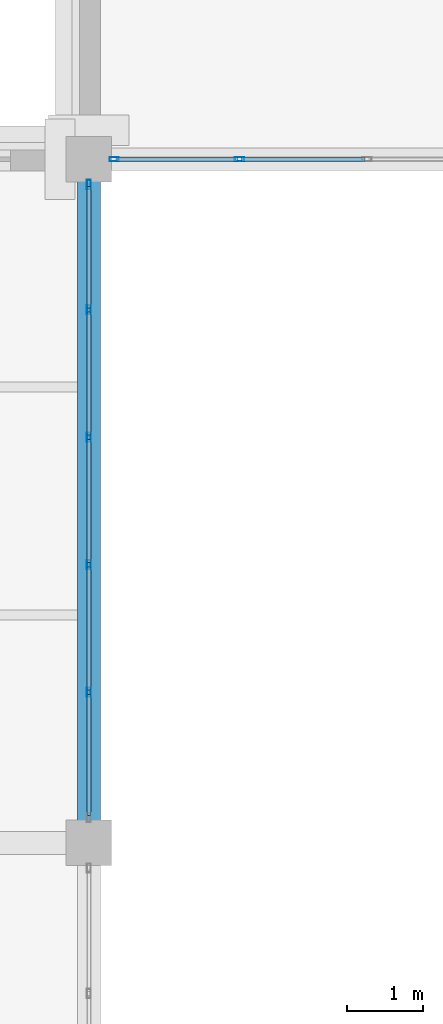
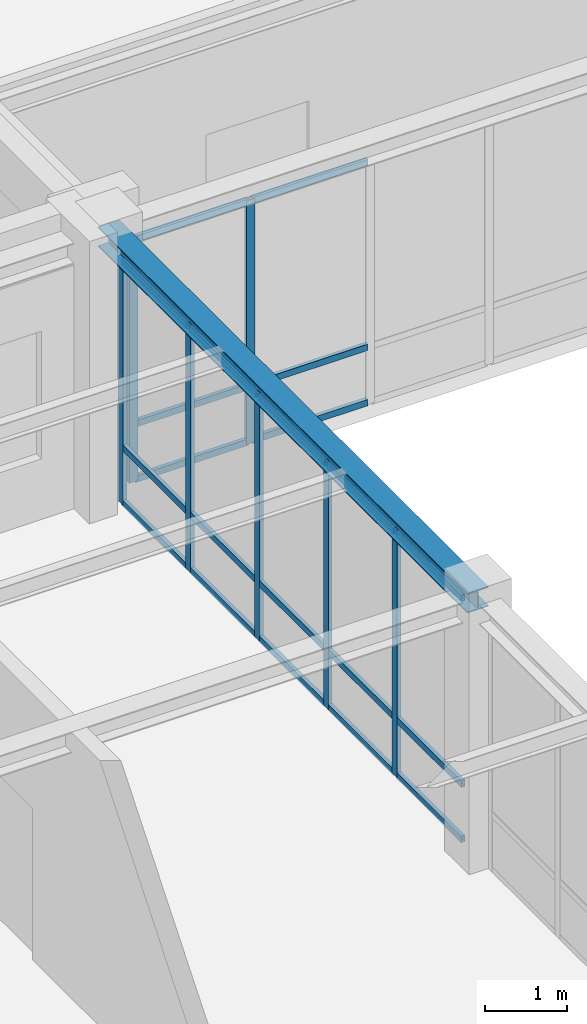
# One storey, part 89 of 130: 28 members, 1 beam, 2 elements without a shape of their own.
"""IFC4 building model written with IfcOpenShell, lengths in metres."""

from ifc_helpers import new_model, si_unit, direction, frame, origin, origin_2d, place, context, subcontext, project, spatial, hollow_rectangle, i_section, extrude, material, material_profile, profile_set, type_object, element, aggregate, save


model = new_model("IFC4")

# Units and contexts
model_context = context("Model", 3, precision=1e-05, world=origin(), true_north=direction((0.0, 1.0)))
body_context = subcontext(model_context, "Body", "Model", "MODEL_VIEW")
ifc_project = project(units=[si_unit("LENGTHUNIT", "METRE"), si_unit("AREAUNIT", "SQUARE_METRE"), si_unit("VOLUMEUNIT", "CUBIC_METRE"), si_unit("PLANEANGLEUNIT", "RADIAN"), si_unit("MASSUNIT", "GRAM", prefix="KILO")], contexts=[model_context])

# Site, building, storey
site_placement = place(None, origin())
site = spatial("IfcSite", under=ifc_project, at=site_placement, CompositionType="ELEMENT")
building_placement = place(site_placement, origin())
building = spatial("IfcBuilding", under=site, at=building_placement, Name="Lykobir Media Centre", CompositionType="ELEMENT")
storey_placement = place(building_placement, frame((0.0, 0.0, 19.199951171875)))
storey = spatial("IfcBuildingStorey", under=building, at=storey_placement, Name="L04", CompositionType="ELEMENT", Elevation=19.199951171875)

# Beam
ifc_material_1 = material(Name="Steel S355", Category="steel")
ifc_material_profile_1 = material_profile(ifc_material_1, i_section(OverallWidth=0.300048828125, OverallDepth=0.2900390625, WebThickness=0.008544921875, FlangeThickness=0.013916015625, at=origin_2d()), Name="HEA 300")
ifc_profile_set_1 = profile_set([ifc_material_profile_1], Name="Steel S355")
beam_type = type_object("IfcBeamType", Name="BM-HEA300", PredefinedType="BEAM", material=ifc_profile_set_1)
beam_placement = place(storey_placement, frame((99.0, 63.0, 3.802978515625), z_axis=(0.0, 1.0, 0.0), x_axis=(-1.0, 0.0, 0.0)))
element("IfcBeam", 1, at=beam_placement, inside=storey, type_object=beam_type, Name="Beam BM-L04-0990-0630-0990-0720-2302", PredefinedType="BEAM", context=body_context, shape_type="SweptSolid", body=[
    extrude(i_section(OverallWidth=0.300048828125, OverallDepth=0.2900390625, WebThickness=0.008544921875, FlangeThickness=0.013916015625, at=origin_2d()), origin(), (0.0, 0.0, 1.0), 9.0),
])

# Curtain wall, members
ifc_material_2 = material(Name="Anodized Aluminium AW-6060", Category="aluminium")
curtain_wall_type = type_object("IfcCurtainWallType", Name="CW-COURT-B", PredefinedType="NOTDEFINED", material=ifc_material_2)
curtain_wall_1_placement = place(storey_placement, origin())
curtain_wall_1 = element("IfcCurtainWall", 2, at=curtain_wall_1_placement, inside=storey, type_object=curtain_wall_type, Name="Curtain wall CW2-L04-0177", PredefinedType="NOTDEFINED")
ifc_material_profile_2 = material_profile(ifc_material_2, hollow_rectangle(XDim=0.054931640625, YDim=0.1201171875, WallThickness=0.003173828125, at=origin_2d()), Name="ALU MULLION 55x120")
ifc_profile_set_2 = profile_set([ifc_material_profile_2], Name="Anodized Aluminium AW-6060")
member_type_1 = type_object("IfcMemberType", Name="CWM-120", PredefinedType="MULLION", material=ifc_profile_set_2)
member_1_placement = place(storey_placement, frame((99.0, 71.66748046875, 0.0), z_axis=(0.0, 0.0, 1.0), x_axis=(1.0, 0.0, 0.0)))
member_1 = element("IfcMember", 3, at=member_1_placement, type_object=member_type_1, Name="CW2-L04-0177 mullion 1", PredefinedType="MULLION", context=body_context, shape_type="SweptSolid", body=[
    extrude(hollow_rectangle(XDim=0.054931640625, YDim=0.1201171875, WallThickness=0.003173828125, at=origin_2d()), origin(), (0.0, 0.0, 1.0), 3.64306640625),
])
member_2_placement = place(storey_placement, frame((99.0, 70.01708984375, 0.0), z_axis=(0.0, 0.0, 1.0), x_axis=(1.0, 0.0, 0.0)))
member_2 = element("IfcMember", 4, at=member_2_placement, type_object=member_type_1, Name="CW2-L04-0177 mullion 2", PredefinedType="MULLION", context=body_context, shape_type="SweptSolid", body=[
    extrude(hollow_rectangle(XDim=0.054931640625, YDim=0.1201171875, WallThickness=0.003173828125, at=origin_2d()), origin(), (0.0, 0.0, 1.0), 3.64306640625),
])
member_3_placement = place(storey_placement, frame((99.0, 68.339111328125, 0.0), z_axis=(0.0, 0.0, 1.0), x_axis=(1.0, 0.0, 0.0)))
member_3 = element("IfcMember", 5, at=member_3_placement, type_object=member_type_1, Name="CW2-L04-0177 mullion 3", PredefinedType="MULLION", context=body_context, shape_type="SweptSolid", body=[
    extrude(hollow_rectangle(XDim=0.054931640625, YDim=0.1201171875, WallThickness=0.003173828125, at=origin_2d()), origin(), (0.0, 0.0, 1.0), 3.64306640625),
])
member_4_placement = place(storey_placement, frame((99.0, 66.660888671875, 0.0), z_axis=(0.0, 0.0, 1.0), x_axis=(1.0, 0.0, 0.0)))
member_4 = element("IfcMember", 6, at=member_4_placement, type_object=member_type_1, Name="CW2-L04-0177 mullion 4", PredefinedType="MULLION", context=body_context, shape_type="SweptSolid", body=[
    extrude(hollow_rectangle(XDim=0.054931640625, YDim=0.1201171875, WallThickness=0.003173828125, at=origin_2d()), origin(), (0.0, 0.0, 1.0), 3.64306640625),
])
member_5_placement = place(storey_placement, frame((99.0, 64.98291015625, 0.0), z_axis=(0.0, 0.0, 1.0), x_axis=(1.0, 0.0, 0.0)))
member_5 = element("IfcMember", 7, at=member_5_placement, type_object=member_type_1, Name="CW2-L04-0177 mullion 5", PredefinedType="MULLION", context=body_context, shape_type="SweptSolid", body=[
    extrude(hollow_rectangle(XDim=0.054931640625, YDim=0.1201171875, WallThickness=0.003173828125, at=origin_2d()), origin(), (0.0, 0.0, 1.0), 3.64306640625),
])

curtain_wall_2_placement = place(storey_placement, origin())
curtain_wall_2 = element("IfcCurtainWall", 8, at=curtain_wall_2_placement, inside=storey, type_object=curtain_wall_type, Name="Curtain wall CW2-L04-0178", PredefinedType="NOTDEFINED")
member_6_placement = place(storey_placement, frame((100.98291015625, 72.0, 0.0), z_axis=(0.0, 0.0, 1.0), x_axis=(0.0, -1.0, 0.0)))
member_6 = element("IfcMember", 9, at=member_6_placement, type_object=member_type_1, Name="CW2-L04-0178 mullion 5", PredefinedType="MULLION", context=body_context, shape_type="SweptSolid", body=[
    extrude(hollow_rectangle(XDim=0.054931640625, YDim=0.1201171875, WallThickness=0.003173828125, at=origin_2d()), origin(), (0.0, 0.0, 1.0), 3.625),
])
member_7_placement = place(storey_placement, frame((99.33251953125, 72.0, 0.0), z_axis=(0.0, 0.0, 1.0), x_axis=(0.0, -1.0, 0.0)))
member_7 = element("IfcMember", 10, at=member_7_placement, type_object=member_type_1, Name="CW2-L04-0178 mullion 6", PredefinedType="MULLION", context=body_context, shape_type="SweptSolid", body=[
    extrude(hollow_rectangle(XDim=0.054931640625, YDim=0.1201171875, WallThickness=0.003173828125, at=origin_2d()), origin(), (0.0, 0.0, 1.0), 3.625),
])

# Member
ifc_material_profile_3 = material_profile(ifc_material_2, hollow_rectangle(XDim=0.054931640625, YDim=0.094970703125, WallThickness=0.0029296875, at=origin_2d()), Name="ALU TRANSOM 55x95")
ifc_profile_set_3 = profile_set([ifc_material_profile_3], Name="Anodized Aluminium AW-6060")
member_type_2 = type_object("IfcMemberType", Name="CWT-095", PredefinedType="USERDEFINED", material=ifc_profile_set_3)
member_8_placement = place(storey_placement, frame((99.0, 71.639892578125, 0.027587890625), z_axis=(0.0, -1.0, 0.0), x_axis=(1.0, 0.0, 0.0)))
member_8 = element("IfcMember", 11, at=member_8_placement, type_object=member_type_2, Name="CW2-L04-0177 transom 1.1", ObjectType="TRANSOM", PredefinedType="USERDEFINED", context=body_context, shape_type="SweptSolid", body=[
    extrude(hollow_rectangle(XDim=0.054931640625, YDim=0.094970703125, WallThickness=0.0029296875, at=origin_2d()), origin(), (0.0, 0.0, 1.0), 1.595458984375),
])

member_9_placement = place(storey_placement, frame((99.0, 71.639892578125, 0.85009765625), z_axis=(0.0, -1.0, 0.0), x_axis=(1.0, 0.0, 0.0)))
member_9 = element("IfcMember", 12, at=member_9_placement, type_object=member_type_2, Name="CW2-L04-0177 transom 1.2", ObjectType="TRANSOM", PredefinedType="USERDEFINED", context=body_context, shape_type="SweptSolid", body=[
    extrude(hollow_rectangle(XDim=0.054931640625, YDim=0.094970703125, WallThickness=0.0029296875, at=origin_2d()), origin(), (0.0, 0.0, 1.0), 1.595458984375),
])

member_10_placement = place(storey_placement, frame((99.0, 71.639892578125, 3.615478515625), z_axis=(0.0, -1.0, 0.0), x_axis=(1.0, 0.0, 0.0)))
member_10 = element("IfcMember", 13, at=member_10_placement, type_object=member_type_2, Name="CW2-L04-0177 transom 1.3", ObjectType="TRANSOM", PredefinedType="USERDEFINED", context=body_context, shape_type="SweptSolid", body=[
    extrude(hollow_rectangle(XDim=0.054931640625, YDim=0.094970703125, WallThickness=0.0029296875, at=origin_2d()), origin(), (0.0, 0.0, 1.0), 1.595458984375),
])

member_11_placement = place(storey_placement, frame((99.0, 69.989501953125, 0.027587890625), z_axis=(0.0, -1.0, 0.0), x_axis=(1.0, 0.0, 0.0)))
member_11 = element("IfcMember", 14, at=member_11_placement, type_object=member_type_2, Name="CW2-L04-0177 transom 2.1", ObjectType="TRANSOM", PredefinedType="USERDEFINED", context=body_context, shape_type="SweptSolid", body=[
    extrude(hollow_rectangle(XDim=0.054931640625, YDim=0.094970703125, WallThickness=0.0029296875, at=origin_2d()), origin(), (0.0, 0.0, 1.0), 1.623046875),
])

member_12_placement = place(storey_placement, frame((99.0, 69.989501953125, 0.85009765625), z_axis=(0.0, -1.0, 0.0), x_axis=(1.0, 0.0, 0.0)))
member_12 = element("IfcMember", 15, at=member_12_placement, type_object=member_type_2, Name="CW2-L04-0177 transom 2.2", ObjectType="TRANSOM", PredefinedType="USERDEFINED", context=body_context, shape_type="SweptSolid", body=[
    extrude(hollow_rectangle(XDim=0.054931640625, YDim=0.094970703125, WallThickness=0.0029296875, at=origin_2d()), origin(), (0.0, 0.0, 1.0), 1.623046875),
])

member_13_placement = place(storey_placement, frame((99.0, 69.989501953125, 3.615478515625), z_axis=(0.0, -1.0, 0.0), x_axis=(1.0, 0.0, 0.0)))
member_13 = element("IfcMember", 16, at=member_13_placement, type_object=member_type_2, Name="CW2-L04-0177 transom 2.3", ObjectType="TRANSOM", PredefinedType="USERDEFINED", context=body_context, shape_type="SweptSolid", body=[
    extrude(hollow_rectangle(XDim=0.054931640625, YDim=0.094970703125, WallThickness=0.0029296875, at=origin_2d()), origin(), (0.0, 0.0, 1.0), 1.623046875),
])

member_14_placement = place(storey_placement, frame((99.0, 68.3115234375, 0.027587890625), z_axis=(0.0, -1.0, 0.0), x_axis=(1.0, 0.0, 0.0)))
member_14 = element("IfcMember", 17, at=member_14_placement, type_object=member_type_2, Name="CW2-L04-0177 transom 3.1", ObjectType="TRANSOM", PredefinedType="USERDEFINED", context=body_context, shape_type="SweptSolid", body=[
    extrude(hollow_rectangle(XDim=0.054931640625, YDim=0.094970703125, WallThickness=0.0029296875, at=origin_2d()), origin(), (0.0, 0.0, 1.0), 1.623046875),
])

member_15_placement = place(storey_placement, frame((99.0, 68.3115234375, 0.85009765625), z_axis=(0.0, -1.0, 0.0), x_axis=(1.0, 0.0, 0.0)))
member_15 = element("IfcMember", 18, at=member_15_placement, type_object=member_type_2, Name="CW2-L04-0177 transom 3.2", ObjectType="TRANSOM", PredefinedType="USERDEFINED", context=body_context, shape_type="SweptSolid", body=[
    extrude(hollow_rectangle(XDim=0.054931640625, YDim=0.094970703125, WallThickness=0.0029296875, at=origin_2d()), origin(), (0.0, 0.0, 1.0), 1.623046875),
])

member_16_placement = place(storey_placement, frame((99.0, 68.3115234375, 3.615478515625), z_axis=(0.0, -1.0, 0.0), x_axis=(1.0, 0.0, 0.0)))
member_16 = element("IfcMember", 19, at=member_16_placement, type_object=member_type_2, Name="CW2-L04-0177 transom 3.3", ObjectType="TRANSOM", PredefinedType="USERDEFINED", context=body_context, shape_type="SweptSolid", body=[
    extrude(hollow_rectangle(XDim=0.054931640625, YDim=0.094970703125, WallThickness=0.0029296875, at=origin_2d()), origin(), (0.0, 0.0, 1.0), 1.623046875),
])

member_17_placement = place(storey_placement, frame((99.0, 66.633544921875, 0.027587890625), z_axis=(0.0, -1.0, 0.0), x_axis=(1.0, 0.0, 0.0)))
member_17 = element("IfcMember", 20, at=member_17_placement, type_object=member_type_2, Name="CW2-L04-0177 transom 4.1", ObjectType="TRANSOM", PredefinedType="USERDEFINED", context=body_context, shape_type="SweptSolid", body=[
    extrude(hollow_rectangle(XDim=0.054931640625, YDim=0.094970703125, WallThickness=0.0029296875, at=origin_2d()), origin(), (0.0, 0.0, 1.0), 1.623046875),
])

member_18_placement = place(storey_placement, frame((99.0, 66.633544921875, 0.85009765625), z_axis=(0.0, -1.0, 0.0), x_axis=(1.0, 0.0, 0.0)))
member_18 = element("IfcMember", 21, at=member_18_placement, type_object=member_type_2, Name="CW2-L04-0177 transom 4.2", ObjectType="TRANSOM", PredefinedType="USERDEFINED", context=body_context, shape_type="SweptSolid", body=[
    extrude(hollow_rectangle(XDim=0.054931640625, YDim=0.094970703125, WallThickness=0.0029296875, at=origin_2d()), origin(), (0.0, 0.0, 1.0), 1.623046875),
])

member_19_placement = place(storey_placement, frame((99.0, 66.633544921875, 3.615478515625), z_axis=(0.0, -1.0, 0.0), x_axis=(1.0, 0.0, 0.0)))
member_19 = element("IfcMember", 22, at=member_19_placement, type_object=member_type_2, Name="CW2-L04-0177 transom 4.3", ObjectType="TRANSOM", PredefinedType="USERDEFINED", context=body_context, shape_type="SweptSolid", body=[
    extrude(hollow_rectangle(XDim=0.054931640625, YDim=0.094970703125, WallThickness=0.0029296875, at=origin_2d()), origin(), (0.0, 0.0, 1.0), 1.623046875),
])

member_20_placement = place(storey_placement, frame((99.0, 64.95556640625, 0.027587890625), z_axis=(0.0, -1.0, 0.0), x_axis=(1.0, 0.0, 0.0)))
member_20 = element("IfcMember", 23, at=member_20_placement, type_object=member_type_2, Name="CW2-L04-0177 transom 5.1", ObjectType="TRANSOM", PredefinedType="USERDEFINED", context=body_context, shape_type="SweptSolid", body=[
    extrude(hollow_rectangle(XDim=0.054931640625, YDim=0.094970703125, WallThickness=0.0029296875, at=origin_2d()), origin(), (0.0, 0.0, 1.0), 1.595458984375),
])

member_21_placement = place(storey_placement, frame((99.0, 64.95556640625, 0.85009765625), z_axis=(0.0, -1.0, 0.0), x_axis=(1.0, 0.0, 0.0)))
member_21 = element("IfcMember", 24, at=member_21_placement, type_object=member_type_2, Name="CW2-L04-0177 transom 5.2", ObjectType="TRANSOM", PredefinedType="USERDEFINED", context=body_context, shape_type="SweptSolid", body=[
    extrude(hollow_rectangle(XDim=0.054931640625, YDim=0.094970703125, WallThickness=0.0029296875, at=origin_2d()), origin(), (0.0, 0.0, 1.0), 1.595458984375),
])

member_22_placement = place(storey_placement, frame((99.0, 64.95556640625, 3.615478515625), z_axis=(0.0, -1.0, 0.0), x_axis=(1.0, 0.0, 0.0)))
member_22 = element("IfcMember", 25, at=member_22_placement, type_object=member_type_2, Name="CW2-L04-0177 transom 5.3", ObjectType="TRANSOM", PredefinedType="USERDEFINED", context=body_context, shape_type="SweptSolid", body=[
    extrude(hollow_rectangle(XDim=0.054931640625, YDim=0.094970703125, WallThickness=0.0029296875, at=origin_2d()), origin(), (0.0, 0.0, 1.0), 1.595458984375),
])

aggregate(curtain_wall_1, [member_1, member_2, member_3, member_4, member_5, member_8, member_9, member_10, member_11, member_12, member_13, member_14, member_15, member_16, member_17, member_18, member_19, member_20, member_21, member_22])

member_23_placement = place(storey_placement, frame((102.633544921875, 72.0, 0.027587890625), z_axis=(-1.0, 0.0, 0.0), x_axis=(0.0, -1.0, 0.0)))
member_23 = element("IfcMember", 26, at=member_23_placement, type_object=member_type_2, Name="CW2-L04-0178 transom 4.1", ObjectType="TRANSOM", PredefinedType="USERDEFINED", context=body_context, shape_type="SweptSolid", body=[
    extrude(hollow_rectangle(XDim=0.054931640625, YDim=0.094970703125, WallThickness=0.0029296875, at=origin_2d()), origin(), (0.0, 0.0, 1.0), 1.623046875),
])

member_24_placement = place(storey_placement, frame((102.633544921875, 72.0, 0.85009765625), z_axis=(-1.0, 0.0, 0.0), x_axis=(0.0, -1.0, 0.0)))
member_24 = element("IfcMember", 27, at=member_24_placement, type_object=member_type_2, Name="CW2-L04-0178 transom 4.2", ObjectType="TRANSOM", PredefinedType="USERDEFINED", context=body_context, shape_type="SweptSolid", body=[
    extrude(hollow_rectangle(XDim=0.054931640625, YDim=0.094970703125, WallThickness=0.0029296875, at=origin_2d()), origin(), (0.0, 0.0, 1.0), 1.623046875),
])

member_25_placement = place(storey_placement, frame((102.633544921875, 72.0, 3.59765625), z_axis=(-1.0, 0.0, 0.0), x_axis=(0.0, -1.0, 0.0)))
member_25 = element("IfcMember", 28, at=member_25_placement, type_object=member_type_2, Name="CW2-L04-0178 transom 4.3", ObjectType="TRANSOM", PredefinedType="USERDEFINED", context=body_context, shape_type="SweptSolid", body=[
    extrude(hollow_rectangle(XDim=0.054931640625, YDim=0.094970703125, WallThickness=0.0029296875, at=origin_2d()), origin(), (0.0, 0.0, 1.0), 1.623046875),
])

member_26_placement = place(storey_placement, frame((100.95556640625, 72.0, 0.027587890625), z_axis=(-1.0, 0.0, 0.0), x_axis=(0.0, -1.0, 0.0)))
member_26 = element("IfcMember", 29, at=member_26_placement, type_object=member_type_2, Name="CW2-L04-0178 transom 5.1", ObjectType="TRANSOM", PredefinedType="USERDEFINED", context=body_context, shape_type="SweptSolid", body=[
    extrude(hollow_rectangle(XDim=0.054931640625, YDim=0.094970703125, WallThickness=0.0029296875, at=origin_2d()), origin(), (0.0, 0.0, 1.0), 1.595458984375),
])

member_27_placement = place(storey_placement, frame((100.95556640625, 72.0, 0.85009765625), z_axis=(-1.0, 0.0, 0.0), x_axis=(0.0, -1.0, 0.0)))
member_27 = element("IfcMember", 30, at=member_27_placement, type_object=member_type_2, Name="CW2-L04-0178 transom 5.2", ObjectType="TRANSOM", PredefinedType="USERDEFINED", context=body_context, shape_type="SweptSolid", body=[
    extrude(hollow_rectangle(XDim=0.054931640625, YDim=0.094970703125, WallThickness=0.0029296875, at=origin_2d()), origin(), (0.0, 0.0, 1.0), 1.595458984375),
])

member_28_placement = place(storey_placement, frame((100.95556640625, 72.0, 3.59765625), z_axis=(-1.0, 0.0, 0.0), x_axis=(0.0, -1.0, 0.0)))
member_28 = element("IfcMember", 31, at=member_28_placement, type_object=member_type_2, Name="CW2-L04-0178 transom 5.3", ObjectType="TRANSOM", PredefinedType="USERDEFINED", context=body_context, shape_type="SweptSolid", body=[
    extrude(hollow_rectangle(XDim=0.054931640625, YDim=0.094970703125, WallThickness=0.0029296875, at=origin_2d()), origin(), (0.0, 0.0, 1.0), 1.595458984375),
])

aggregate(curtain_wall_2, [member_6, member_7, member_23, member_24, member_25, member_26, member_27, member_28])

save(model, "model.ifc")
